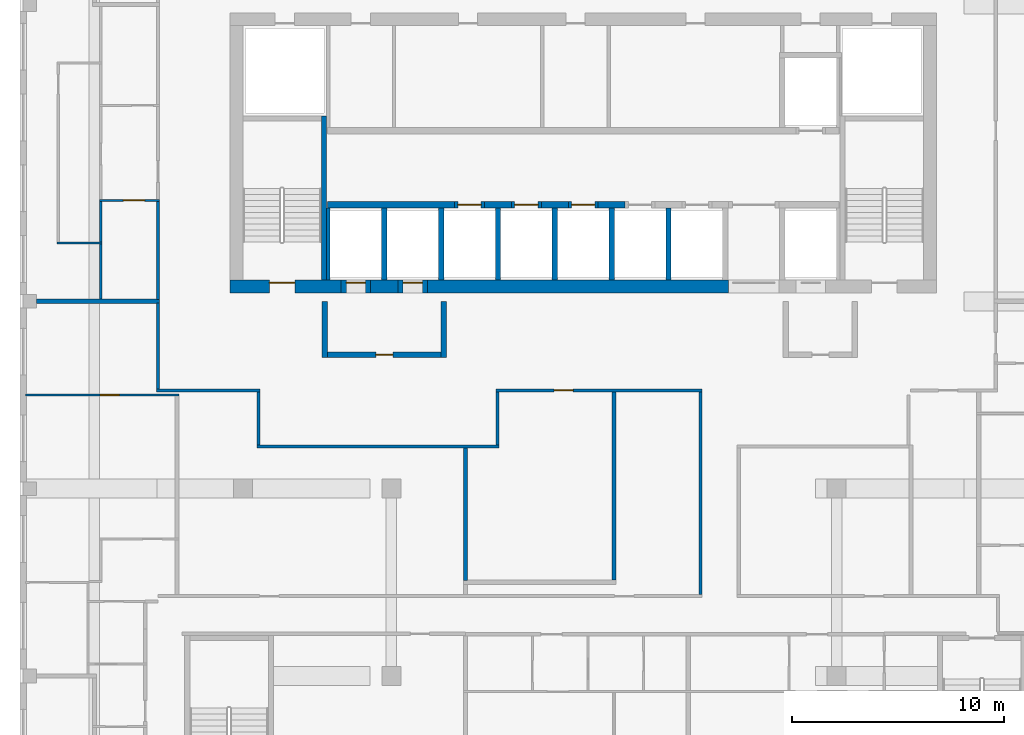
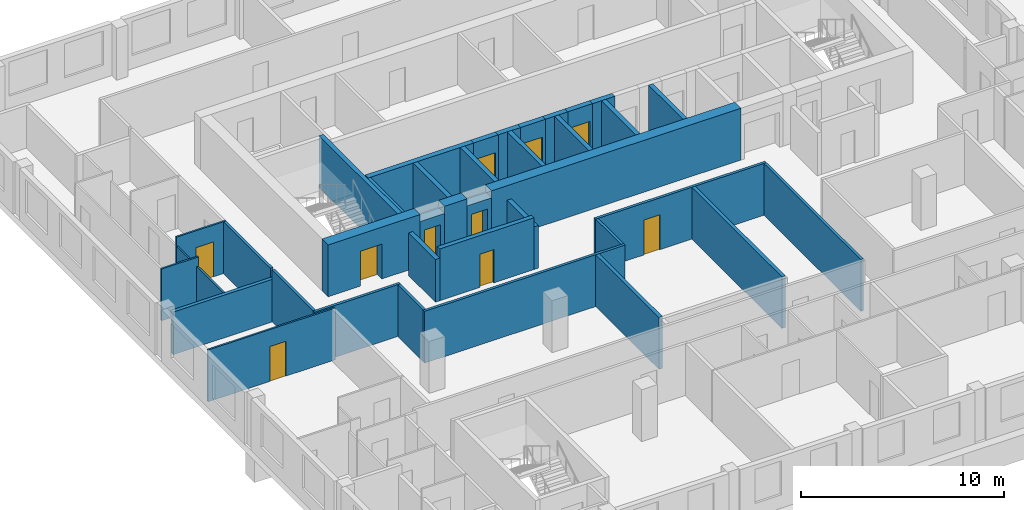
# One storey, part 4 of 13: 39 walls, 10 doors, 10 openings.
"""IFC4 building model written with IfcOpenShell, lengths in metres."""

from ifc_helpers import new_model, si_unit, direction, frame, frame_2d, origin, place, context, subcontext, project, spatial, rectangle, extrude, source, transform, mapped, material, layer, layer_set, type_object, element, fill, save


model = new_model("IFC4")

# Units and contexts
model_context = context("Model", 3, precision=1e-05, world=origin(), true_north=direction((0.0, 1.0)))
body_context = subcontext(model_context, "Body", "Model", "MODEL_VIEW")
ifc_project = project(units=[si_unit("LENGTHUNIT", "METRE"), si_unit("AREAUNIT", "SQUARE_METRE"), si_unit("VOLUMEUNIT", "CUBIC_METRE"), si_unit("PLANEANGLEUNIT", "RADIAN"), si_unit("MASSUNIT", "GRAM", prefix="KILO")], contexts=[model_context])

# Site, building, storey
site_placement = place(None, origin())
site = spatial("IfcSite", under=ifc_project, at=site_placement, CompositionType="ELEMENT")
building_placement = place(site_placement, origin())
building = spatial("IfcBuilding", under=site, at=building_placement, Name="Kilnfold Tower and Market Hall", CompositionType="ELEMENT")
storey_placement = place(building_placement, frame((0.0, 0.0, 267.0)))
storey = spatial("IfcBuildingStorey", under=building, at=storey_placement, Name="L65", CompositionType="ELEMENT", Elevation=267.0)

# Walls
ifc_material_1 = material(Name="Gypsum board on steel studs", Category="steel")
ifc_layer_1 = layer(ifc_material_1, 0.14990234375)
ifc_layer_set_1 = layer_set([ifc_layer_1], Name="Gypsum board on steel studs")
wall_type_1 = type_object("IfcWallType", Name="WALL CORRIDOR 150", PredefinedType="PARTITIONING", material=ifc_layer_set_1)
wall_1_placement = place(storey_placement, frame((-19.074951171875, 3.800048828125, 0.0), z_axis=(0.0, 0.0, 1.0), x_axis=(1.0, 0.0, 0.0)))
element("IfcWall", 1, at=wall_1_placement, inside=storey, type_object=wall_type_1, Name="Partition LY41.7", PredefinedType="PARTITIONING", context=body_context, shape_type="SweptSolid", body=[
    extrude(rectangle(XDim=4.889892578125, YDim=0.14990234375, at=frame_2d((2.44482421875, 0.0))), origin(), (0.0, 0.0, 1.0), 3.1201171875),
])
wall_2_placement = place(storey_placement, frame((-19.0, 3.875, 0.0), z_axis=(0.0, 0.0, 1.0), x_axis=(0.0, 1.0, 0.0)))
element("IfcWall", 2, at=wall_2_placement, inside=storey, type_object=wall_type_1, Name="Partition LY41.8", PredefinedType="PARTITIONING", context=body_context, shape_type="SweptSolid", body=[
    extrude(rectangle(XDim=4.034912109375, YDim=0.14990234375, at=frame_2d((2.017578125, 0.0))), origin(), (0.0, 0.0, 1.0), 3.1201171875),
])
wall_3_placement = place(storey_placement, frame((-19.0, 8.090087890625, 0.0), z_axis=(0.0, 0.0, 1.0), x_axis=(0.0, 1.0, 0.0)))
element("IfcWall", 3, at=wall_3_placement, inside=storey, type_object=wall_type_1, Name="Partition LY41.24", PredefinedType="PARTITIONING", context=body_context, shape_type="SweptSolid", body=[
    extrude(rectangle(XDim=4.6298828125, YDim=0.14990234375, at=frame_2d((2.31494140625, 0.0))), origin(), (0.0, 0.0, 1.0), 3.1201171875),
])
wall_4_placement = place(storey_placement, frame((-14.3349609375, 1.14990234375, 0.0), z_axis=(0.0, 0.0, 1.0), x_axis=(1.0, 0.0, 0.0)))
element("IfcWall", 4, at=wall_4_placement, inside=storey, type_object=wall_type_1, Name="Partition LY41.27", PredefinedType="PARTITIONING", context=body_context, shape_type="SweptSolid", body=[
    extrude(rectangle(XDim=11.409912109375, YDim=0.14990234375, at=frame_2d((5.705078125, 0.0))), origin(), (0.0, 0.0, 1.0), 3.1201171875),
])
wall_5_placement = place(storey_placement, frame((-14.260009765625, 3.72509765625, 0.0), z_axis=(0.0, 0.0, 1.0), x_axis=(0.0, -1.0, 0.0)))
element("IfcWall", 5, at=wall_5_placement, inside=storey, type_object=wall_type_1, Name="Partition LY41.28", PredefinedType="PARTITIONING", context=body_context, shape_type="SweptSolid", body=[
    extrude(rectangle(XDim=2.5, YDim=0.14990234375, at=frame_2d((1.25, 0.0))), origin(), (0.0, 0.0, 1.0), 3.1201171875),
])

# Wall, opening, door
wall_6_placement = place(storey_placement, frame((-3.074951171875, 3.800048828125, 0.0), z_axis=(0.0, 0.0, 1.0), x_axis=(1.0, 0.0, 0.0)))
wall_6 = element("IfcWall", 6, at=wall_6_placement, inside=storey, type_object=wall_type_1, Name="Partition LY41.29", PredefinedType="PARTITIONING", context=body_context, shape_type="SweptSolid", body=[
    extrude(rectangle(XDim=9.72998046875, YDim=0.14990234375, at=frame_2d((4.864990234375, 0.0))), origin(), (0.0, 0.0, 1.0), 3.1201171875),
])
opening_1_placement = place(wall_6_placement, frame((2.7509765625, 0.0, 0.0)))
opening_1 = element("IfcOpeningElement", 7, at=opening_1_placement, cuts=wall_6, Name="Opening D2", PredefinedType="OPENING", context=body_context, shape_type="SweptSolid", body=[
    extrude(rectangle(XDim=0.89990234375, YDim=2.10009765625, at=frame_2d((0.449951171875, 1.050048828125))), frame((0.0, 0.0849609375, 0.0), z_axis=(0.0, -1.0, 0.0), x_axis=(1.0, 0.0, 0.0)), (0.0, 0.0, 1.0), 0.169921875),
])
ifc_material_2 = material(Name="Timber veneer door leaf in steel frame", Category="steel")
door_type_1 = type_object("IfcDoorType", Name="DOOR ROOM 900 X2100", OperationType="NOTDEFINED", PredefinedType="DOOR", material=ifc_material_2)
door_1_placement = place(opening_1_placement, origin())
door_1 = element("IfcDoor", 8, at=door_1_placement, inside=storey, type_object=door_type_1, Name="Door D2", OperationType="SINGLE_SWING_RIGHT", OverallHeight=2.10009765625, OverallWidth=0.89990234375, PredefinedType="DOOR", context=body_context, shape_type="SweptSolid", body=[
    extrude(rectangle(XDim=0.89990234375, YDim=2.10009765625, at=frame_2d((0.449951171875, 1.050048828125))), frame((0.0, 0.02490234375, 0.0), z_axis=(0.0, -1.0, 0.0), x_axis=(1.0, 0.0, 0.0)), (0.0, 0.0, 1.0), 0.050048828125),
])
fill(opening_1, door_1)

# Walls
wall_7_placement = place(storey_placement, frame((-3.0, 1.22509765625, 0.0), z_axis=(0.0, 0.0, 1.0), x_axis=(0.0, 1.0, 0.0)))
element("IfcWall", 9, at=wall_7_placement, inside=storey, type_object=wall_type_1, Name="Partition LY41.30", PredefinedType="PARTITIONING", context=body_context, shape_type="SweptSolid", body=[
    extrude(rectangle(XDim=2.5, YDim=0.14990234375, at=frame_2d((1.25, 0.0))), origin(), (0.0, 0.0, 1.0), 3.1201171875),
])
wall_8_placement = place(storey_placement, frame((6.580078125, 3.72509765625, 0.0), z_axis=(0.0, 0.0, 1.0), x_axis=(0.0, -1.0, 0.0)))
element("IfcWall", 10, at=wall_8_placement, inside=storey, type_object=wall_type_1, Name="Partition LY41.31", PredefinedType="PARTITIONING", context=body_context, shape_type="SweptSolid", body=[
    extrude(rectangle(XDim=9.550048828125, YDim=0.14990234375, at=frame_2d((4.77490234375, 0.0))), origin(), (0.0, 0.0, 1.0), 3.1201171875),
])

# Wall, opening, door
ifc_material_3 = material(Name="Gypsum board on steel studs", Category="steel")
ifc_layer_2 = layer(ifc_material_3, 0.10009765625)
ifc_layer_set_2 = layer_set([ifc_layer_2], Name="Gypsum board on steel studs")
wall_type_2 = type_object("IfcWallType", Name="WALL PARTITION 100", PredefinedType="PARTITIONING", material=ifc_layer_set_2)
wall_9_placement = place(storey_placement, frame((-18.0, 3.5830078125, 0.0), z_axis=(0.0, 0.0, 1.0), x_axis=(-1.0, 0.0, 0.0)))
wall_9 = element("IfcWall", 11, at=wall_9_placement, inside=storey, type_object=wall_type_2, Name="Partition LY41.52", PredefinedType="PARTITIONING", context=body_context, shape_type="SweptSolid", body=[
    extrude(rectangle(XDim=7.25, YDim=0.10009765625, at=frame_2d((3.625, 0.0))), origin(), (0.0, 0.0, 1.0), 3.1201171875),
])
opening_2_placement = place(wall_9_placement, frame((2.822021484375, 0.0, 0.0)))
opening_2 = element("IfcOpeningElement", 12, at=opening_2_placement, cuts=wall_9, Name="Opening D2", PredefinedType="OPENING", context=body_context, shape_type="SweptSolid", body=[
    extrude(rectangle(XDim=0.89990234375, YDim=2.10009765625, at=frame_2d((0.449951171875, 1.050048828125))), frame((0.0, 0.06005859375, 0.0), z_axis=(0.0, -1.0, 0.0), x_axis=(1.0, 0.0, 0.0)), (0.0, 0.0, 1.0), 0.1201171875),
])
door_2_placement = place(opening_2_placement, origin())
door_2 = element("IfcDoor", 13, at=door_2_placement, inside=storey, type_object=door_type_1, Name="Door D2", OperationType="SINGLE_SWING_LEFT", OverallHeight=2.10009765625, OverallWidth=0.89990234375, PredefinedType="DOOR", context=body_context, shape_type="SweptSolid", body=[
    extrude(rectangle(XDim=0.89990234375, YDim=2.10009765625, at=frame_2d((0.449951171875, 1.050048828125))), frame((0.0, 0.02490234375, 0.0), z_axis=(0.0, -1.0, 0.0), x_axis=(1.0, 0.0, 0.0)), (0.0, 0.0, 1.0), 0.050048828125),
])
fill(opening_2, door_2)

wall_10_placement = place(storey_placement, frame((-18.927001953125, 12.760009765625, 0.0), z_axis=(0.0, 0.0, 1.0), x_axis=(-1.0, 0.0, 0.0)))
wall_10 = element("IfcWall", 14, at=wall_10_placement, inside=storey, type_object=wall_type_2, Name="Partition LY41.85", PredefinedType="PARTITIONING", context=body_context, shape_type="SweptSolid", body=[
    extrude(rectangle(XDim=2.822998046875, YDim=0.10009765625, at=frame_2d((1.41162109375, 0.0))), origin(), (0.0, 0.0, 1.0), 3.1201171875),
])
opening_3_placement = place(wall_10_placement, frame((0.7080078125, 0.0, 0.0)))
opening_3 = element("IfcOpeningElement", 15, at=opening_3_placement, cuts=wall_10, Name="Opening D1", PredefinedType="OPENING", context=body_context, shape_type="SweptSolid", body=[
    extrude(rectangle(XDim=1.0, YDim=2.10009765625, at=frame_2d((0.5, 1.050048828125))), frame((0.0, 0.06005859375, 0.0), z_axis=(0.0, -1.0, 0.0), x_axis=(1.0, 0.0, 0.0)), (0.0, 0.0, 1.0), 0.1201171875),
])
ifc_material_4 = material(Name="Timber veneer door leaf in steel frame", Category="steel")
door_type_2 = type_object("IfcDoorType", Name="DOOR ENTRY 1000 X2100", OperationType="NOTDEFINED", PredefinedType="DOOR", material=ifc_material_4)
door_3_placement = place(opening_3_placement, origin())
door_3 = element("IfcDoor", 16, at=door_3_placement, inside=storey, type_object=door_type_2, Name="Door D1", OperationType="SINGLE_SWING_LEFT", OverallHeight=2.10009765625, OverallWidth=1.0, PredefinedType="DOOR", context=body_context, shape_type="SweptSolid", body=[
    extrude(rectangle(XDim=1.0, YDim=2.10009765625, at=frame_2d((0.5, 1.050048828125))), frame((0.0, 0.02490234375, 0.0), z_axis=(0.0, -1.0, 0.0), x_axis=(1.0, 0.0, 0.0)), (0.0, 0.0, 1.0), 0.050048828125),
])
fill(opening_3, door_3)

# Walls
wall_11_placement = place(storey_placement, frame((-21.699951171875, 8.10009765625, 0.0), z_axis=(0.0, 0.0, 1.0), x_axis=(0.0, 1.0, 0.0)))
element("IfcWall", 17, at=wall_11_placement, inside=storey, type_object=wall_type_2, Name="Partition LY41.86", PredefinedType="PARTITIONING", context=body_context, shape_type="SweptSolid", body=[
    extrude(rectangle(XDim=2.618896484375, YDim=0.10009765625, at=frame_2d((1.3095703125, 0.0))), origin(), (0.0, 0.0, 1.0), 2.570068359375),
])
wall_12_placement = place(storey_placement, frame((-21.699951171875, 10.800048828125, 0.0), z_axis=(0.0, 0.0, 1.0), x_axis=(0.0, 1.0, 0.0)))
element("IfcWall", 18, at=wall_12_placement, inside=storey, type_object=wall_type_2, Name="Partition LY41.87", PredefinedType="PARTITIONING", context=body_context, shape_type="SweptSolid", body=[
    extrude(rectangle(XDim=1.909912109375, YDim=0.10009765625, at=frame_2d((0.955078125, 0.0))), origin(), (0.0, 0.0, 1.0), 2.570068359375),
])
wall_13_placement = place(storey_placement, frame((-21.652099609375, 10.759033203125, 0.0), z_axis=(0.0, 0.0, 1.0), x_axis=(-1.0, 0.0, 0.0)))
element("IfcWall", 19, at=wall_13_placement, inside=storey, type_object=wall_type_2, Name="Partition LY41.94", PredefinedType="PARTITIONING", context=body_context, shape_type="SweptSolid", body=[
    extrude(rectangle(XDim=2.098876953125, YDim=0.10009765625, at=frame_2d((1.04931640625, 0.0))), origin(), (0.0, 0.0, 1.0), 3.1201171875),
])
ifc_material_5 = material(Name="Gypsum board on steel studs", Category="steel")
ifc_layer_3 = layer(ifc_material_5, 0.199951171875)
ifc_layer_set_3 = layer_set([ifc_layer_3], Name="Gypsum board on steel studs")
wall_type_3 = type_object("IfcWallType", Name="WALL PARTY 200", PredefinedType="PARTITIONING", material=ifc_layer_set_3)
wall_14_placement = place(storey_placement, frame((-24.72509765625, 8.0, 0.0), z_axis=(0.0, 0.0, 1.0), x_axis=(1.0, 0.0, 0.0)))
element("IfcWall", 20, at=wall_14_placement, inside=storey, type_object=wall_type_3, Name="Partition LY41.54", PredefinedType="PARTITIONING", context=body_context, shape_type="SweptSolid", body=[
    extrude(rectangle(XDim=5.798095703125, YDim=0.199951171875, at=frame_2d((2.89892578125, 0.0))), origin(), (0.0, 0.0, 1.0), 2.570068359375),
])
wall_15_placement = place(storey_placement, frame((-4.5, -5.159912109375, 0.0), z_axis=(0.0, 0.0, 1.0), x_axis=(0.0, 1.0, 0.0)))
element("IfcWall", 21, at=wall_15_placement, inside=storey, type_object=wall_type_3, Name="Partition LY41.95", PredefinedType="PARTITIONING", context=body_context, shape_type="SweptSolid", body=[
    extrude(rectangle(XDim=6.23291015625, YDim=0.199951171875, at=frame_2d((3.116455078125, 0.0))), origin(), (0.0, 0.0, 1.0), 3.1201171875),
])
wall_16_placement = place(storey_placement, frame((2.5, -5.14990234375, 0.0), z_axis=(0.0, 0.0, 1.0), x_axis=(0.0, 1.0, 0.0)))
element("IfcWall", 22, at=wall_16_placement, inside=storey, type_object=wall_type_3, Name="Partition LY41.97", PredefinedType="PARTITIONING", context=body_context, shape_type="SweptSolid", body=[
    extrude(rectangle(XDim=8.872802734375, YDim=0.199951171875, at=frame_2d((4.4365234375, 0.0))), origin(), (0.0, 0.0, 1.0), 3.1201171875),
])
ifc_material_6 = material(Name="Concrete C50", Category="concrete")
ifc_layer_4 = layer(ifc_material_6, 0.25)
ifc_layer_set_4 = layer_set([ifc_layer_4], Name="Concrete C50")
wall_type_4 = type_object("IfcWallType", Name="CORE WALL 250 C50", PredefinedType="SHEAR", material=ifc_layer_set_4)
shared_shape_1 = source(origin(), body_context, "Body", "SweptSolid", [
    extrude(rectangle(XDim=7.75, YDim=0.25, at=frame_2d((3.875, 0.0))), origin(), (0.0, 0.0, 1.0), 3.1201171875),
])
wall_17_placement = place(storey_placement, frame((-11.175048828125, 9.0, 0.0), z_axis=(0.0, 0.0, 1.0), x_axis=(0.0, 1.0, 0.0)))
element("IfcWall", 23, at=wall_17_placement, inside=storey, type_object=wall_type_4, Name="Stair enclosure ST1", PredefinedType="SHEAR", context=body_context, shape_type="MappedRepresentation", body=[
    mapped(shared_shape_1, transform((0.0, 0.0, 0.0))),
])
ifc_material_7 = material(Name="Concrete C50", Category="concrete")
ifc_layer_5 = layer(ifc_material_7, 0.300048828125)
ifc_layer_set_5 = layer_set([ifc_layer_5], Name="Concrete C50")
wall_type_5 = type_object("IfcWallType", Name="CORE WALL 300 C50", PredefinedType="SHEAR", material=ifc_layer_set_5)
shared_shape_2 = source(origin(), body_context, "Body", "SweptSolid", [
    extrude(rectangle(XDim=6.0, YDim=0.300048828125, at=frame_2d((3.0, 0.0))), origin(), (0.0, 0.0, 1.0), 3.1201171875),
])
wall_18_placement = place(storey_placement, frame((-11.010009765625, 12.550048828125, 0.0), z_axis=(0.0, 0.0, 1.0), x_axis=(1.0, 0.0, 0.0)))
element("IfcWall", 24, at=wall_18_placement, inside=storey, type_object=wall_type_5, Name="Core spine wall", PredefinedType="SHEAR", context=body_context, shape_type="MappedRepresentation", body=[
    mapped(shared_shape_2, transform((0.0, 0.0, 0.0))),
])
shared_shape_3 = source(origin(), body_context, "Body", "SweptSolid", [
    extrude(rectangle(XDim=1.280029296875, YDim=0.300048828125, at=frame_2d((0.64013671875, 0.0))), origin(), (0.0, 0.0, 1.0), 3.1201171875),
])
for number, where, z_axis, x_axis, name in (
    (25, (-3.610107421875, 12.550048828125, 0.0), (0.0, 0.0, 1.0), (1.0, 0.0, 0.0), "Core spine wall"),
    (26, (-0.929931640625, 12.550048828125, 0.0), (0.0, 0.0, 1.0), (1.0, 0.0, 0.0), "Core spine wall"),
    (27, (1.75, 12.550048828125, 0.0), (0.0, 0.0, 1.0), (1.0, 0.0, 0.0), "Core spine wall"),
):
    element("IfcWall", number, at=place(storey_placement, frame(where, z_axis=z_axis, x_axis=x_axis)), inside=storey, type_object=wall_type_5, Name=name, PredefinedType="SHEAR", context=body_context, shape_type="MappedRepresentation", body=[
        mapped(shared_shape_3, transform((0.0, 0.0, 0.0))),
    ])

# Wall, opening, door
ifc_material_8 = material(Name="Concrete C50", Category="concrete")
ifc_layer_6 = layer(ifc_material_8, 0.60009765625)
ifc_layer_set_6 = layer_set([ifc_layer_6], Name="Concrete C50")
wall_type_6 = type_object("IfcWallType", Name="CORE WALL 600 C50", PredefinedType="SHEAR", material=ifc_layer_set_6)
shared_shape_4 = source(origin(), body_context, "Body", "SweptSolid", [
    extrude(rectangle(XDim=5.22998046875, YDim=0.60009765625, at=frame_2d((2.614990234375, 0.0))), origin(), (0.0, 0.0, 1.0), 3.1201171875),
])
wall_19_placement = place(storey_placement, frame((-15.60009765625, 8.699951171875, 0.0), z_axis=(0.0, 0.0, 1.0), x_axis=(1.0, 0.0, 0.0)))
wall_19 = element("IfcWall", 28, at=wall_19_placement, inside=storey, type_object=wall_type_6, Name="Core outer wall south", PredefinedType="SHEAR", context=body_context, shape_type="MappedRepresentation", body=[
    mapped(shared_shape_4, transform((0.0, 0.0, 0.0))),
])
opening_4_placement = place(wall_19_placement, frame((1.85009765625, 0.0, 0.0)))
opening_4 = element("IfcOpeningElement", 29, at=opening_4_placement, cuts=wall_19, Name="Opening SD1", PredefinedType="OPENING", context=body_context, shape_type="SweptSolid", body=[
    extrude(rectangle(XDim=1.199951171875, YDim=2.10009765625, at=frame_2d((0.60009765625, 1.050048828125))), frame((0.0, 0.31005859375, 0.0), z_axis=(0.0, -1.0, 0.0), x_axis=(1.0, 0.0, 0.0)), (0.0, 0.0, 1.0), 0.6201171875),
])
ifc_material_9 = material(Name="Steel door set with fire-resisting leaf", Category="steel")
door_type_3 = type_object("IfcDoorType", Name="STAIR FLOOR DOOR 1200X2100", OperationType="NOTDEFINED", PredefinedType="DOOR", material=ifc_material_9)
door_4_placement = place(opening_4_placement, origin())
door_4 = element("IfcDoor", 30, at=door_4_placement, inside=storey, type_object=door_type_3, Name="Exit stair ST1 door", OperationType="DOUBLE_DOOR_SINGLE_SWING", OverallHeight=2.10009765625, OverallWidth=1.199951171875, PredefinedType="DOOR", context=body_context, shape_type="SweptSolid", body=[
    extrude(rectangle(XDim=1.199951171875, YDim=2.10009765625, at=frame_2d((0.60009765625, 1.050048828125))), frame((0.0, 0.205078125, 0.0), z_axis=(0.0, -1.0, 0.0), x_axis=(1.0, 0.0, 0.0)), (0.0, 0.0, 1.0), 0.050048828125),
])
fill(opening_4, door_4)

# Walls
shared_shape_5 = source(origin(), body_context, "Body", "SweptSolid", [
    extrude(rectangle(XDim=1.280029296875, YDim=0.60009765625, at=frame_2d((0.64013671875, 0.0))), origin(), (0.0, 0.0, 1.0), 3.1201171875),
])
wall_20_placement = place(storey_placement, frame((-8.969970703125, 8.699951171875, 0.0), z_axis=(0.0, 0.0, 1.0), x_axis=(1.0, 0.0, 0.0)))
element("IfcWall", 31, at=wall_20_placement, inside=storey, type_object=wall_type_6, Name="Core outer wall south", PredefinedType="SHEAR", context=body_context, shape_type="MappedRepresentation", body=[
    mapped(shared_shape_5, transform((0.0, 0.0, 0.0))),
])
shared_shape_6 = source(origin(), body_context, "Body", "SweptSolid", [
    extrude(rectangle(XDim=14.179931640625, YDim=0.60009765625, at=frame_2d((7.08984375, 0.0))), origin(), (0.0, 0.0, 1.0), 3.1201171875),
])
wall_21_placement = place(storey_placement, frame((-6.2900390625, 8.699951171875, 0.0), z_axis=(0.0, 0.0, 1.0), x_axis=(1.0, 0.0, 0.0)))
element("IfcWall", 32, at=wall_21_placement, inside=storey, type_object=wall_type_6, Name="Core outer wall south", PredefinedType="SHEAR", context=body_context, shape_type="MappedRepresentation", body=[
    mapped(shared_shape_6, transform((0.0, 0.0, 0.0))),
])

# Wall, opening, door
ifc_material_10 = material(Name="Gypsum shaft wall system")
ifc_layer_7 = layer(ifc_material_10, 0.300048828125)
ifc_layer_set_7 = layer_set([ifc_layer_7], Name="Gypsum shaft wall system")
wall_type_7 = type_object("IfcWallType", Name="SHAFT WALL 300", PredefinedType="PARTITIONING", material=ifc_layer_set_7)
shared_shape_7 = source(origin(), body_context, "Body", "SweptSolid", [
    extrude(rectangle(XDim=1.39990234375, YDim=0.300048828125, at=frame_2d((0.699951171875, 0.0))), origin(), (0.0, 0.0, 1.0), 3.1201171875),
])
wall_22_placement = place(storey_placement, frame((-5.010009765625, 12.550048828125, 0.0), z_axis=(0.0, 0.0, 1.0), x_axis=(1.0, 0.0, 0.0)))
wall_22 = element("IfcWall", 33, at=wall_22_placement, inside=storey, type_object=wall_type_7, Name="Lift shaft front wall", PredefinedType="PARTITIONING", context=body_context, shape_type="MappedRepresentation", body=[
    mapped(shared_shape_7, transform((0.0, 0.0, 0.0))),
])
opening_5_placement = place(wall_22_placement, frame((0.14990234375, 0.0, 0.0)))
opening_5 = element("IfcOpeningElement", 34, at=opening_5_placement, cuts=wall_22, Name="Opening LD2", PredefinedType="OPENING", context=body_context, shape_type="SweptSolid", body=[
    extrude(rectangle(XDim=1.10009765625, YDim=2.10009765625, at=frame_2d((0.550048828125, 1.050048828125))), frame((0.0, 0.16015625, 0.0), z_axis=(0.0, -1.0, 0.0), x_axis=(1.0, 0.0, 0.0)), (0.0, 0.0, 1.0), 0.320068359375),
])
ifc_material_11 = material(Name="Steel door set with fire-resisting leaf", Category="steel")
door_type_4 = type_object("IfcDoorType", Name="LANDING DOOR 1100X2100", OperationType="NOTDEFINED", PredefinedType="DOOR", material=ifc_material_11)
door_5_placement = place(opening_5_placement, origin())
door_5 = element("IfcDoor", 35, at=door_5_placement, inside=storey, type_object=door_type_4, Name="Landing door HR1", OperationType="DOUBLE_DOOR_SLIDING", OverallHeight=2.10009765625, OverallWidth=1.10009765625, PredefinedType="DOOR", context=body_context, shape_type="SweptSolid", body=[
    extrude(rectangle(XDim=1.10009765625, YDim=2.10009765625, at=frame_2d((0.550048828125, 1.050048828125))), frame((0.0, 0.02490234375, 0.0), z_axis=(0.0, -1.0, 0.0), x_axis=(1.0, 0.0, 0.0)), (0.0, 0.0, 1.0), 0.050048828125),
])
fill(opening_5, door_5)

wall_23_placement = place(storey_placement, frame((0.35009765625, 12.550048828125, 0.0), z_axis=(0.0, 0.0, 1.0), x_axis=(1.0, 0.0, 0.0)))
wall_23 = element("IfcWall", 36, at=wall_23_placement, inside=storey, type_object=wall_type_7, Name="Lift shaft front wall", PredefinedType="PARTITIONING", context=body_context, shape_type="MappedRepresentation", body=[
    mapped(shared_shape_7, transform((0.0, 0.0, 0.0))),
])
opening_6_placement = place(wall_23_placement, frame((0.14990234375, 0.0, 0.0)))
opening_6 = element("IfcOpeningElement", 37, at=opening_6_placement, cuts=wall_23, Name="Opening LD2", PredefinedType="OPENING", context=body_context, shape_type="SweptSolid", body=[
    extrude(rectangle(XDim=1.10009765625, YDim=2.10009765625, at=frame_2d((0.550048828125, 1.050048828125))), frame((0.0, 0.16015625, 0.0), z_axis=(0.0, -1.0, 0.0), x_axis=(1.0, 0.0, 0.0)), (0.0, 0.0, 1.0), 0.320068359375),
])
door_6_placement = place(opening_6_placement, origin())
door_6 = element("IfcDoor", 38, at=door_6_placement, inside=storey, type_object=door_type_4, Name="Landing door HR3", OperationType="DOUBLE_DOOR_SLIDING", OverallHeight=2.10009765625, OverallWidth=1.10009765625, PredefinedType="DOOR", context=body_context, shape_type="SweptSolid", body=[
    extrude(rectangle(XDim=1.10009765625, YDim=2.10009765625, at=frame_2d((0.550048828125, 1.050048828125))), frame((0.0, 0.02490234375, 0.0), z_axis=(0.0, -1.0, 0.0), x_axis=(1.0, 0.0, 0.0)), (0.0, 0.0, 1.0), 0.050048828125),
])
fill(opening_6, door_6)

shared_shape_8 = source(origin(), body_context, "Body", "SweptSolid", [
    extrude(rectangle(XDim=1.400146484375, YDim=0.300048828125, at=frame_2d((0.7001953125, 0.0))), origin(), (0.0, 0.0, 1.0), 3.1201171875),
])
wall_24_placement = place(storey_placement, frame((-2.330078125, 12.550048828125, 0.0), z_axis=(0.0, 0.0, 1.0), x_axis=(1.0, 0.0, 0.0)))
wall_24 = element("IfcWall", 39, at=wall_24_placement, inside=storey, type_object=wall_type_7, Name="Lift shaft front wall", PredefinedType="PARTITIONING", context=body_context, shape_type="MappedRepresentation", body=[
    mapped(shared_shape_8, transform((0.0, 0.0, 0.0))),
])
opening_7_placement = place(wall_24_placement, frame((0.14990234375, 0.0, 0.0)))
opening_7 = element("IfcOpeningElement", 40, at=opening_7_placement, cuts=wall_24, Name="Opening LD2", PredefinedType="OPENING", context=body_context, shape_type="SweptSolid", body=[
    extrude(rectangle(XDim=1.10009765625, YDim=2.10009765625, at=frame_2d((0.550048828125, 1.050048828125))), frame((0.0, 0.16015625, 0.0), z_axis=(0.0, -1.0, 0.0), x_axis=(1.0, 0.0, 0.0)), (0.0, 0.0, 1.0), 0.320068359375),
])
door_7_placement = place(opening_7_placement, origin())
door_7 = element("IfcDoor", 41, at=door_7_placement, inside=storey, type_object=door_type_4, Name="Landing door HR2", OperationType="DOUBLE_DOOR_SLIDING", OverallHeight=2.10009765625, OverallWidth=1.10009765625, PredefinedType="DOOR", context=body_context, shape_type="SweptSolid", body=[
    extrude(rectangle(XDim=1.10009765625, YDim=2.10009765625, at=frame_2d((0.550048828125, 1.050048828125))), frame((0.0, 0.02490234375, 0.0), z_axis=(0.0, -1.0, 0.0), x_axis=(1.0, 0.0, 0.0)), (0.0, 0.0, 1.0), 0.050048828125),
])
fill(opening_7, door_7)

ifc_material_12 = material(Name="Gypsum shaft wall system")
ifc_layer_8 = layer(ifc_material_12, 0.25)
ifc_layer_set_8 = layer_set([ifc_layer_8], Name="Gypsum shaft wall system")
wall_type_8 = type_object("IfcWallType", Name="LOBBY WALL 250", PredefinedType="PARTITIONING", material=ifc_layer_set_8)
shared_shape_9 = source(origin(), body_context, "Body", "SweptSolid", [
    extrude(rectangle(XDim=5.360107421875, YDim=0.25, at=frame_2d((2.68017578125, 0.0))), origin(), (0.0, 0.0, 1.0), 3.1201171875),
])
wall_25_placement = place(storey_placement, frame((-11.010009765625, 5.47509765625, 0.0), z_axis=(0.0, 0.0, 1.0), x_axis=(1.0, 0.0, 0.0)))
wall_25 = element("IfcWall", 42, at=wall_25_placement, inside=storey, type_object=wall_type_8, Name="Firefighting lobby wall", PredefinedType="PARTITIONING", context=body_context, shape_type="MappedRepresentation", body=[
    mapped(shared_shape_9, transform((0.0, 0.0, 0.0))),
])
opening_8_placement = place(wall_25_placement, frame((2.280029296875, 0.0, 0.0)))
opening_8 = element("IfcOpeningElement", 43, at=opening_8_placement, cuts=wall_25, Name="Opening VD1", PredefinedType="OPENING", context=body_context, shape_type="SweptSolid", body=[
    extrude(rectangle(XDim=0.800048828125, YDim=2.0, at=frame_2d((0.39990234375, 1.0))), frame((0.0, 0.135009765625, 0.0), z_axis=(0.0, -1.0, 0.0), x_axis=(1.0, 0.0, 0.0)), (0.0, 0.0, 1.0), 0.27001953125),
])
ifc_material_13 = material(Name="Steel door set with fire-resisting leaf", Category="steel")
door_type_5 = type_object("IfcDoorType", Name="FIREFIGHTING LOBBY DOOR 800X2000", OperationType="NOTDEFINED", PredefinedType="DOOR", material=ifc_material_13)
door_8_placement = place(opening_8_placement, origin())
door_8 = element("IfcDoor", 44, at=door_8_placement, inside=storey, type_object=door_type_5, Name="Firefighting lobby door", OperationType="SINGLE_SWING_LEFT", OverallHeight=2.0, OverallWidth=0.800048828125, PredefinedType="DOOR", context=body_context, shape_type="SweptSolid", body=[
    extrude(rectangle(XDim=0.800048828125, YDim=2.0, at=frame_2d((0.39990234375, 1.0))), frame((0.0, 0.02490234375, 0.0), z_axis=(0.0, -1.0, 0.0), x_axis=(1.0, 0.0, 0.0)), (0.0, 0.0, 1.0), 0.050048828125),
])
fill(opening_8, door_8)

# Walls
ifc_material_14 = material(Name="Gypsum shaft wall system")
ifc_layer_9 = layer(ifc_material_14, 0.25)
ifc_layer_set_9 = layer_set([ifc_layer_9], Name="Gypsum shaft wall system")
wall_type_9 = type_object("IfcWallType", Name="SHAFT WALL 250", PredefinedType="PARTITIONING", material=ifc_layer_set_9)
shared_shape_10 = source(origin(), body_context, "Body", "SweptSolid", [
    extrude(rectangle(XDim=3.39990234375, YDim=0.25, at=frame_2d((1.699951171875, 0.0))), origin(), (0.0, 0.0, 1.0), 3.1201171875),
])
for number, where, z_axis, x_axis, name in (
    (45, (2.389892578125, 9.0, 0.0), (0.0, 0.0, 1.0), (0.0, 1.0, 0.0), "Lift shaft wall"),
    (46, (5.070068359375, 9.0, 0.0), (0.0, 0.0, 1.0), (0.0, 1.0, 0.0), "Lift shaft wall"),
    (47, (-0.2900390625, 9.0, 0.0), (0.0, 0.0, 1.0), (0.0, 1.0, 0.0), "Lift shaft wall"),
    (48, (-2.969970703125, 9.0, 0.0), (0.0, 0.0, 1.0), (0.0, 1.0, 0.0), "Lift shaft wall"),
    (49, (-5.64990234375, 9.0, 0.0), (0.0, 0.0, 1.0), (0.0, 1.0, 0.0), "Lift shaft wall"),
    (50, (-8.330078125, 9.0, 0.0), (0.0, 0.0, 1.0), (0.0, 1.0, 0.0), "Lift shaft wall"),
):
    element("IfcWall", number, at=place(storey_placement, frame(where, z_axis=z_axis, x_axis=x_axis)), inside=storey, type_object=wall_type_9, Name=name, PredefinedType="PARTITIONING", context=body_context, shape_type="MappedRepresentation", body=[
        mapped(shared_shape_10, transform((0.0, 0.0, 0.0))),
    ])
ifc_material_15 = material(Name="Gypsum shaft wall system")
ifc_layer_10 = layer(ifc_material_15, 0.1650390625)
ifc_layer_set_10 = layer_set([ifc_layer_10], Name="Gypsum shaft wall system")
wall_type_10 = type_object("IfcWallType", Name="SHAFT WALL 165", PredefinedType="PARTITIONING", material=ifc_layer_set_10)
shared_shape_11 = source(origin(), body_context, "Body", "SweptSolid", [
    extrude(rectangle(XDim=3.39990234375, YDim=0.1650390625, at=frame_2d((1.699951171875, 0.0))), origin(), (0.0, 0.0, 1.0), 3.1201171875),
])
wall_26_placement = place(storey_placement, frame((-10.967529296875, 9.0, 0.0), z_axis=(0.0, 0.0, 1.0), x_axis=(0.0, 1.0, 0.0)))
element("IfcWall", 51, at=wall_26_placement, inside=storey, type_object=wall_type_10, Name="Lift shaft wall", PredefinedType="PARTITIONING", context=body_context, shape_type="MappedRepresentation", body=[
    mapped(shared_shape_11, transform((0.0, 0.0, 0.0))),
])
shared_shape_12 = source(origin(), body_context, "Body", "SweptSolid", [
    extrude(rectangle(XDim=2.64990234375, YDim=0.25, at=frame_2d((1.324951171875, 0.0))), origin(), (0.0, 0.0, 1.0), 2.570068359375),
])
for number, where, z_axis, x_axis, name in (
    (52, (-11.135009765625, 5.35009765625, 0.0), (0.0, 0.0, 1.0), (0.0, 1.0, 0.0), "Firefighting lobby wall"),
    (53, (-5.52490234375, 5.35009765625, 0.0), (0.0, 0.0, 1.0), (0.0, 1.0, 0.0), "Firefighting lobby wall"),
):
    element("IfcWall", number, at=place(storey_placement, frame(where, z_axis=z_axis, x_axis=x_axis)), inside=storey, type_object=wall_type_8, Name=name, PredefinedType="PARTITIONING", context=body_context, shape_type="MappedRepresentation", body=[
        mapped(shared_shape_12, transform((0.0, 0.0, 0.0))),
    ])

# Wall, opening, door
ifc_material_16 = material(Name="Gypsum shaft wall system")
ifc_layer_11 = layer(ifc_material_16, 0.60009765625)
ifc_layer_set_11 = layer_set([ifc_layer_11], Name="Gypsum shaft wall system")
wall_type_11 = type_object("IfcWallType", Name="LOBBY WALL 600", PredefinedType="PARTITIONING", material=ifc_layer_set_11)
shared_shape_13 = source(origin(), body_context, "Body", "SweptSolid", [
    extrude(rectangle(XDim=1.400146484375, YDim=0.60009765625, at=frame_2d((0.7001953125, 0.0))), origin(), (0.0, 0.0, 1.0), 2.699951171875),
])
wall_27_placement = place(storey_placement, frame((-10.3701171875, 8.699951171875, 0.0), z_axis=(0.0, 0.0, 1.0), x_axis=(1.0, 0.0, 0.0)))
wall_27 = element("IfcWall", 54, at=wall_27_placement, inside=storey, type_object=wall_type_11, Name="Core wall infill", PredefinedType="PARTITIONING", context=body_context, shape_type="MappedRepresentation", body=[
    mapped(shared_shape_13, transform((0.0, 0.0, 0.0))),
])
opening_9_placement = place(wall_27_placement, frame((0.25, 0.0, 0.0)))
opening_9 = element("IfcOpeningElement", 55, at=opening_9_placement, cuts=wall_27, Name="Opening LD1", PredefinedType="OPENING", context=body_context, shape_type="SweptSolid", body=[
    extrude(rectangle(XDim=0.89990234375, YDim=2.10009765625, at=frame_2d((0.449951171875, 1.050048828125))), frame((0.0, 0.31005859375, 0.0), z_axis=(0.0, -1.0, 0.0), x_axis=(1.0, 0.0, 0.0)), (0.0, 0.0, 1.0), 0.6201171875),
])
ifc_material_17 = material(Name="Steel door set with fire-resisting leaf", Category="steel")
door_type_6 = type_object("IfcDoorType", Name="FIREFIGHTING LANDING DOOR 900X2100", OperationType="NOTDEFINED", PredefinedType="DOOR", material=ifc_material_17)
door_9_placement = place(opening_9_placement, origin())
door_9 = element("IfcDoor", 56, at=door_9_placement, inside=storey, type_object=door_type_6, Name="Landing door FF1", OperationType="SLIDING_TO_LEFT", OverallHeight=2.10009765625, OverallWidth=0.89990234375, PredefinedType="DOOR", context=body_context, shape_type="SweptSolid", body=[
    extrude(rectangle(XDim=0.89990234375, YDim=2.10009765625, at=frame_2d((0.449951171875, 1.050048828125))), frame((0.0, 0.205078125, 0.0), z_axis=(0.0, -1.0, 0.0), x_axis=(1.0, 0.0, 0.0)), (0.0, 0.0, 1.0), 0.050048828125),
])
fill(opening_9, door_9)

shared_shape_14 = source(origin(), body_context, "Body", "SweptSolid", [
    extrude(rectangle(XDim=1.39990234375, YDim=0.60009765625, at=frame_2d((0.699951171875, 0.0))), origin(), (0.0, 0.0, 1.0), 2.699951171875),
])
wall_28_placement = place(storey_placement, frame((-7.68994140625, 8.699951171875, 0.0), z_axis=(0.0, 0.0, 1.0), x_axis=(1.0, 0.0, 0.0)))
wall_28 = element("IfcWall", 57, at=wall_28_placement, inside=storey, type_object=wall_type_11, Name="Core wall infill", PredefinedType="PARTITIONING", context=body_context, shape_type="MappedRepresentation", body=[
    mapped(shared_shape_14, transform((0.0, 0.0, 0.0))),
])
opening_10_placement = place(wall_28_placement, frame((0.25, 0.0, 0.0)))
opening_10 = element("IfcOpeningElement", 58, at=opening_10_placement, cuts=wall_28, Name="Opening LD1", PredefinedType="OPENING", context=body_context, shape_type="SweptSolid", body=[
    extrude(rectangle(XDim=0.89990234375, YDim=2.10009765625, at=frame_2d((0.449951171875, 1.050048828125))), frame((0.0, 0.31005859375, 0.0), z_axis=(0.0, -1.0, 0.0), x_axis=(1.0, 0.0, 0.0)), (0.0, 0.0, 1.0), 0.6201171875),
])
door_10_placement = place(opening_10_placement, origin())
door_10 = element("IfcDoor", 59, at=door_10_placement, inside=storey, type_object=door_type_6, Name="Landing door FF2", OperationType="SLIDING_TO_RIGHT", OverallHeight=2.10009765625, OverallWidth=0.89990234375, PredefinedType="DOOR", context=body_context, shape_type="SweptSolid", body=[
    extrude(rectangle(XDim=0.89990234375, YDim=2.10009765625, at=frame_2d((0.449951171875, 1.050048828125))), frame((0.0, 0.205078125, 0.0), z_axis=(0.0, -1.0, 0.0), x_axis=(1.0, 0.0, 0.0)), (0.0, 0.0, 1.0), 0.050048828125),
])
fill(opening_10, door_10)

save(model, "model.ifc")
